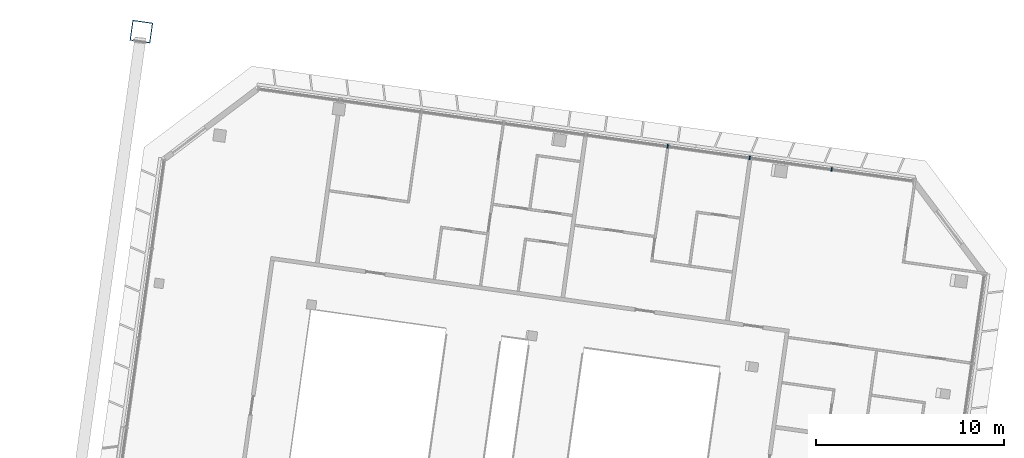
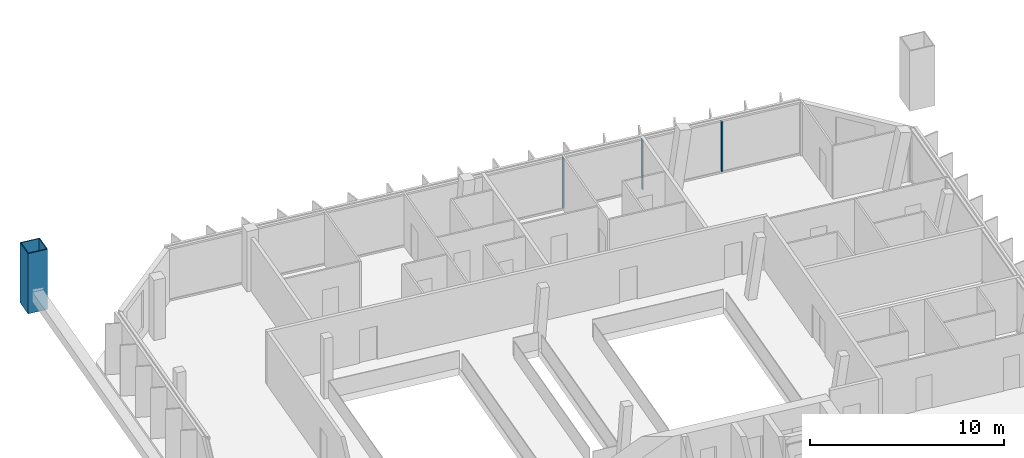
# One storey, part 8 of 26: 4 members, 1 element without a shape of its own.
"""IFC4 building model written with IfcOpenShell, lengths in metres."""

from ifc_helpers import new_model, si_unit, direction, frame, origin, origin_2d, place, context, subcontext, project, spatial, rectangle, hollow_rectangle, extrude, material, material_profile, profile_set, type_object, element, aggregate, save


model = new_model("IFC4")

# Units and contexts
model_context = context("Model", 3, precision=1e-05, world=origin(), true_north=direction((0.0, 1.0)))
body_context = subcontext(model_context, "Body", "Model", "MODEL_VIEW")
ifc_project = project(units=[si_unit("LENGTHUNIT", "METRE"), si_unit("AREAUNIT", "SQUARE_METRE"), si_unit("VOLUMEUNIT", "CUBIC_METRE"), si_unit("PLANEANGLEUNIT", "RADIAN"), si_unit("MASSUNIT", "GRAM", prefix="KILO")], contexts=[model_context])

# Site, building, storey
site_placement = place(None, origin())
site = spatial("IfcSite", under=ifc_project, at=site_placement, CompositionType="ELEMENT")
building_placement = place(site_placement, origin())
building = spatial("IfcBuilding", under=site, at=building_placement, Name="Mirante Cascada Hotel Towers", CompositionType="ELEMENT")
storey_placement = place(building_placement, frame((0.0, 0.0, 235.6)))
storey = spatial("IfcBuildingStorey", under=building, at=storey_placement, Name="L56", CompositionType="ELEMENT", Elevation=235.6)

# Member
ifc_material_1 = material(Name="Steel ASTM A572 Gr 50", Category="steel")
ifc_material_profile_1 = material_profile(ifc_material_1, hollow_rectangle(XDim=1.1, YDim=1.1, WallThickness=0.05, at=origin_2d()), Name="Box post 1100x1100x50 ASTM A572 Gr 50")
ifc_profile_set_1 = profile_set([ifc_material_profile_1], Name="Steel ASTM A572 Gr 50")
member_type_1 = type_object("IfcMemberType", Name="Box post 1100x1100x50 ASTM A572 Gr 50", PredefinedType="POST", material=ifc_profile_set_1)
member_1_placement = place(storey_placement, frame((-64.7076, 24.0842, 0.0), z_axis=(0.0, 0.0, 1.0), x_axis=(-0.9902681, 0.1391731, 0.0)))
element("IfcMember", 1, at=member_1_placement, inside=storey, type_object=member_type_1, Name="Mega column MP3 T1 L56", PredefinedType="POST", context=body_context, shape_type="SweptSolid", body=[
    extrude(hollow_rectangle(XDim=1.1, YDim=1.1, WallThickness=0.05, at=origin_2d()), origin(), (0.0, 0.0, 1.0), 3.8),
])

# Curtain wall, members
ifc_material_2 = material(Name="Aluminium mullion and transom frame with clear laminated glass", Category="aluminium")
curtain_wall_type = type_object("IfcCurtainWallType", Name="Ribbon curtain wall ECW1", PredefinedType="NOTDEFINED", material=ifc_material_2)
curtain_wall_placement = place(storey_placement, origin())
curtain_wall = element("IfcCurtainWall", 2, at=curtain_wall_placement, inside=storey, type_object=curtain_wall_type, Name="Front ribbon wall T1 L56", PredefinedType="NOTDEFINED")
ifc_material_3 = material(Name="Anodised aluminium extrusion", Category="aluminium")
ifc_material_profile_2 = material_profile(ifc_material_3, rectangle(XDim=0.2, YDim=0.065, at=origin_2d()), Name="ECW1 MULLION 65x200")
ifc_profile_set_2 = profile_set([ifc_material_profile_2], Name="Anodised aluminium extrusion")
member_type_2 = type_object("IfcMemberType", Name="ECW1 mullion 65x200", PredefinedType="MULLION", material=ifc_profile_set_2)
member_2_placement = place(storey_placement, frame((-36.6643, 17.9718, 0.1), z_axis=(0.0, 0.0, 1.0), x_axis=(0.1391731, 0.9902681, 0.0)))
member_2 = element("IfcMember", 3, at=member_2_placement, type_object=member_type_2, Name="ECW1 mullion 6", PredefinedType="MULLION", context=body_context, shape_type="SweptSolid", body=[
    extrude(rectangle(XDim=0.2, YDim=0.065, at=origin_2d()), origin(), (0.0, 0.0, 1.0), 3.15),
])
member_3_placement = place(storey_placement, frame((-32.2954, 17.3578, 0.1), z_axis=(0.0, 0.0, 1.0), x_axis=(0.1391731, 0.9902681, 0.0)))
member_3 = element("IfcMember", 4, at=member_3_placement, type_object=member_type_2, Name="ECW1 mullion 7", PredefinedType="MULLION", context=body_context, shape_type="SweptSolid", body=[
    extrude(rectangle(XDim=0.2, YDim=0.065, at=origin_2d()), origin(), (0.0, 0.0, 1.0), 3.15),
])
member_4_placement = place(storey_placement, frame((-27.9266, 16.7438, 0.1), z_axis=(0.0, 0.0, 1.0), x_axis=(0.1391731, 0.9902681, 0.0)))
member_4 = element("IfcMember", 5, at=member_4_placement, type_object=member_type_2, Name="ECW1 mullion 8", PredefinedType="MULLION", context=body_context, shape_type="SweptSolid", body=[
    extrude(rectangle(XDim=0.2, YDim=0.065, at=origin_2d()), origin(), (0.0, 0.0, 1.0), 3.15),
])
aggregate(curtain_wall, [member_2, member_3, member_4])

save(model, "model.ifc")
